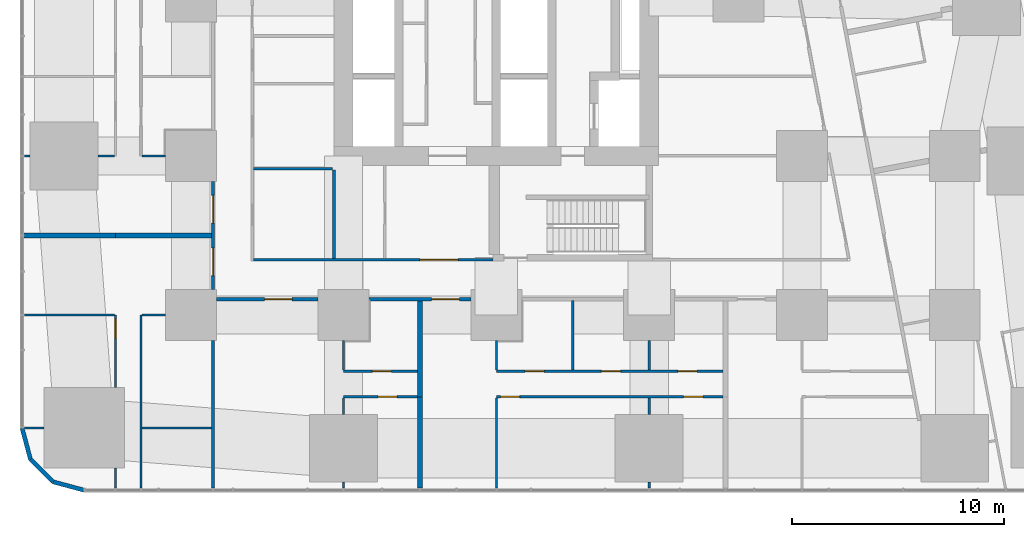
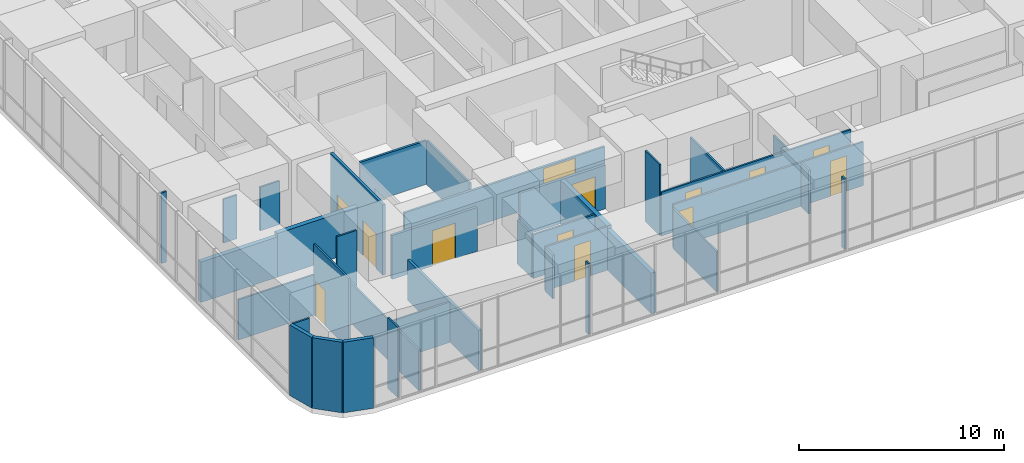
# One storey, part 14 of 22: 37 walls, 13 doors, 13 openings.
"""IFC4 building model written with IfcOpenShell, lengths in metres."""

from ifc_helpers import new_model, si_unit, direction, frame, frame_2d, origin, place, context, subcontext, project, spatial, rectangle, extrude, material, layer, layer_set, type_object, element, fill, save


model = new_model("IFC4")

# Units and contexts
model_context = context("Model", 3, precision=1e-05, world=origin(), true_north=direction((0.0, 1.0)))
body_context = subcontext(model_context, "Body", "Model", "MODEL_VIEW")
ifc_project = project(units=[si_unit("LENGTHUNIT", "METRE"), si_unit("AREAUNIT", "SQUARE_METRE"), si_unit("VOLUMEUNIT", "CUBIC_METRE"), si_unit("PLANEANGLEUNIT", "RADIAN"), si_unit("MASSUNIT", "GRAM", prefix="KILO")], contexts=[model_context])

# Site, building, storey
site_placement = place(None, origin())
site = spatial("IfcSite", under=ifc_project, at=site_placement, CompositionType="ELEMENT")
building_placement = place(site_placement, origin())
building = spatial("IfcBuilding", under=site, at=building_placement, Name="Sheger Commons Tower", CompositionType="ELEMENT")
storey_placement = place(building_placement, frame((0.0, 0.0, 10.10009765625)))
storey = spatial("IfcBuildingStorey", under=building, at=storey_placement, Name="L02", CompositionType="ELEMENT", Elevation=10.10009765625)

# Wall
ifc_material_1 = material(Name="Hollow concrete block masonry, skimmed both sides", Category="masonry")
ifc_layer_1 = layer(ifc_material_1, 0.14990234375)
ifc_layer_set_1 = layer_set([ifc_layer_1], Name="CORRIDOR WALL 150")
wall_type_1 = type_object("IfcWallType", Name="CORRIDOR WALL 150", PredefinedType="SOLIDWALL", material=ifc_layer_set_1)
wall_1_placement = place(storey_placement, frame((8.25, -0.64990234375, 0.0), z_axis=(0.0, 0.0, 1.0), x_axis=(0.0, 1.0, 0.0)))
element("IfcWall", 1, at=wall_1_placement, inside=storey, type_object=wall_type_1, Name="Corridor wall L02", PredefinedType="SOLIDWALL", context=body_context, shape_type="SweptSolid", body=[
    extrude(rectangle(XDim=6.948974609375, YDim=0.14990234375, at=frame_2d((3.474609375, 0.0))), origin(), (0.0, 0.0, 1.0), 2.39990234375),
])

# Wall, openings, doors
wall_2_placement = place(storey_placement, frame((8.25, 8.700927734375, 0.0), z_axis=(0.0, 0.0, 1.0), x_axis=(0.0, 1.0, 0.0)))
wall_2 = element("IfcWall", 2, at=wall_2_placement, inside=storey, type_object=wall_type_1, Name="Corridor wall L02", PredefinedType="SOLIDWALL", context=body_context, shape_type="SweptSolid", body=[
    extrude(rectangle(XDim=5.09814453125, YDim=0.14990234375, at=frame_2d((2.549072265625, 0.0))), origin(), (0.0, 0.0, 1.0), 4.199951171875),
])
opening_1_placement = place(wall_2_placement, frame((0.660888671875, 0.0, 0.0)))
opening_1 = element("IfcOpeningElement", 3, at=opening_1_placement, cuts=wall_2, Name="Opening D9", PredefinedType="OPENING", context=body_context, shape_type="SweptSolid", body=[
    extrude(rectangle(XDim=1.300048828125, YDim=2.10009765625, at=frame_2d((0.64990234375, 1.050048828125))), frame((0.0, 0.0849609375, 0.0), z_axis=(0.0, -1.0, 0.0), x_axis=(1.0, 0.0, 0.0)), (0.0, 0.0, 1.0), 0.169921875),
])
opening_2_placement = place(wall_2_placement, frame((3.135986328125, 0.0, 0.0)))
opening_2 = element("IfcOpeningElement", 4, at=opening_2_placement, cuts=wall_2, Name="Opening D9", PredefinedType="OPENING", context=body_context, shape_type="SweptSolid", body=[
    extrude(rectangle(XDim=1.300048828125, YDim=2.10009765625, at=frame_2d((0.64990234375, 1.050048828125))), frame((0.0, 0.0849609375, 0.0), z_axis=(0.0, -1.0, 0.0), x_axis=(1.0, 0.0, 0.0)), (0.0, 0.0, 1.0), 0.169921875),
])
ifc_material_2 = material(Name="Steel door set, fire rated", Category="steel")
door_type_1 = type_object("IfcDoorType", Name="CLINIC SUITE DOOR 1300x2100", OperationType="DOUBLE_DOOR_SINGLE_SWING", PredefinedType="DOOR", material=ifc_material_2)
door_1_placement = place(opening_1_placement, origin())
door_1 = element("IfcDoor", 5, at=door_1_placement, inside=storey, type_object=door_type_1, Name="Suite door", OperationType="DOUBLE_DOOR_SINGLE_SWING", OverallHeight=2.10009765625, OverallWidth=1.300048828125, PredefinedType="DOOR", context=body_context, shape_type="SweptSolid", body=[
    extrude(rectangle(XDim=1.300048828125, YDim=2.10009765625, at=frame_2d((0.64990234375, 1.050048828125))), frame((0.0, 0.02490234375, 0.0), z_axis=(0.0, -1.0, 0.0), x_axis=(1.0, 0.0, 0.0)), (0.0, 0.0, 1.0), 0.050048828125),
])
fill(opening_1, door_1)
door_2_placement = place(opening_2_placement, origin())
door_2 = element("IfcDoor", 6, at=door_2_placement, inside=storey, type_object=door_type_1, Name="Suite door", OperationType="DOUBLE_DOOR_SINGLE_SWING", OverallHeight=2.10009765625, OverallWidth=1.300048828125, PredefinedType="DOOR", context=body_context, shape_type="SweptSolid", body=[
    extrude(rectangle(XDim=1.300048828125, YDim=2.10009765625, at=frame_2d((0.64990234375, 1.050048828125))), frame((0.0, 0.02490234375, 0.0), z_axis=(0.0, -1.0, 0.0), x_axis=(1.0, 0.0, 0.0)), (0.0, 0.0, 1.0), 0.050048828125),
])
fill(opening_2, door_2)

# Wall, opening, door
wall_3_placement = place(storey_placement, frame((20.39892578125, 8.25, 0.0), z_axis=(0.0, 0.0, 1.0), x_axis=(-1.0, 0.0, 0.0)))
wall_3 = element("IfcWall", 7, at=wall_3_placement, inside=storey, type_object=wall_type_1, Name="Corridor wall L02", PredefinedType="SOLIDWALL", context=body_context, shape_type="SweptSolid", body=[
    extrude(rectangle(XDim=4.7978515625, YDim=0.14990234375, at=frame_2d((2.39892578125, 0.0))), origin(), (0.0, 0.0, 1.0), 2.599853515625),
])
opening_3_placement = place(wall_3_placement, frame((0.549072265625, 0.0, 0.0)))
opening_3 = element("IfcOpeningElement", 8, at=opening_3_placement, cuts=wall_3, Name="Opening D9", PredefinedType="OPENING", context=body_context, shape_type="SweptSolid", body=[
    extrude(rectangle(XDim=1.300048828125, YDim=2.10009765625, at=frame_2d((0.64990234375, 1.050048828125))), frame((0.0, 0.0849609375, 0.0), z_axis=(0.0, -1.0, 0.0), x_axis=(1.0, 0.0, 0.0)), (0.0, 0.0, 1.0), 0.169921875),
])
door_3_placement = place(opening_3_placement, origin())
door_3 = element("IfcDoor", 9, at=door_3_placement, inside=storey, type_object=door_type_1, Name="Suite door", OperationType="DOUBLE_DOOR_SINGLE_SWING", OverallHeight=2.10009765625, OverallWidth=1.300048828125, PredefinedType="DOOR", context=body_context, shape_type="SweptSolid", body=[
    extrude(rectangle(XDim=1.300048828125, YDim=2.10009765625, at=frame_2d((0.64990234375, 1.050048828125))), frame((0.0, 0.02490234375, 0.0), z_axis=(0.0, -1.0, 0.0), x_axis=(1.0, 0.0, 0.0)), (0.0, 0.0, 1.0), 0.050048828125),
])
fill(opening_3, door_3)

wall_4_placement = place(storey_placement, frame((13.198974609375, 8.25, 0.0), z_axis=(0.0, 0.0, 1.0), x_axis=(-1.0, 0.0, 0.0)))
wall_4 = element("IfcWall", 10, at=wall_4_placement, inside=storey, type_object=wall_type_1, Name="Corridor wall L02", PredefinedType="SOLIDWALL", context=body_context, shape_type="SweptSolid", body=[
    extrude(rectangle(XDim=4.798095703125, YDim=0.14990234375, at=frame_2d((2.39892578125, 0.0))), origin(), (0.0, 0.0, 1.0), 2.599853515625),
])
opening_4_placement = place(wall_4_placement, frame((1.22412109375, 0.0, 0.0)))
opening_4 = element("IfcOpeningElement", 11, at=opening_4_placement, cuts=wall_4, Name="Opening D9", PredefinedType="OPENING", context=body_context, shape_type="SweptSolid", body=[
    extrude(rectangle(XDim=1.300048828125, YDim=2.10009765625, at=frame_2d((0.64990234375, 1.050048828125))), frame((0.0, 0.0849609375, 0.0), z_axis=(0.0, -1.0, 0.0), x_axis=(1.0, 0.0, 0.0)), (0.0, 0.0, 1.0), 0.169921875),
])
door_4_placement = place(opening_4_placement, origin())
door_4 = element("IfcDoor", 12, at=door_4_placement, inside=storey, type_object=door_type_1, Name="Suite door", OperationType="DOUBLE_DOOR_SINGLE_SWING", OverallHeight=2.10009765625, OverallWidth=1.300048828125, PredefinedType="DOOR", context=body_context, shape_type="SweptSolid", body=[
    extrude(rectangle(XDim=1.300048828125, YDim=2.10009765625, at=frame_2d((0.64990234375, 1.050048828125))), frame((0.0, 0.02490234375, 0.0), z_axis=(0.0, -1.0, 0.0), x_axis=(1.0, 0.0, 0.0)), (0.0, 0.0, 1.0), 0.050048828125),
])
fill(opening_4, door_4)

# Walls
ifc_material_3 = material(Name="Dense concrete block masonry, plastered both sides (separating wall between flats)", Category="masonry")
ifc_layer_2 = layer(ifc_material_3, 0.25)
ifc_layer_set_2 = layer_set([ifc_layer_2], Name="DEMISING WALL 250")
wall_type_2 = type_object("IfcWallType", Name="DEMISING WALL 250", PredefinedType="SOLIDWALL", material=ifc_layer_set_2)
wall_5_placement = place(storey_placement, frame((-0.64990234375, 11.25, 0.0), z_axis=(0.0, 0.0, 1.0), x_axis=(1.0, 0.0, 0.0)))
element("IfcWall", 13, at=wall_5_placement, inside=storey, type_object=wall_type_2, Name="Demising wall L02", PredefinedType="SOLIDWALL", context=body_context, shape_type="SweptSolid", body=[
    extrude(rectangle(XDim=4.2998046875, YDim=0.25, at=frame_2d((2.14990234375, 0.0))), origin(), (0.0, 0.0, 1.0), 2.39990234375),
])
wall_6_placement = place(storey_placement, frame((3.64990234375, 11.25, 0.0), z_axis=(0.0, 0.0, 1.0), x_axis=(1.0, 0.0, 0.0)))
element("IfcWall", 14, at=wall_6_placement, inside=storey, type_object=wall_type_2, Name="Demising wall L02", PredefinedType="SOLIDWALL", context=body_context, shape_type="SweptSolid", body=[
    extrude(rectangle(XDim=4.525146484375, YDim=0.25, at=frame_2d((2.2626953125, 0.0))), origin(), (0.0, 0.0, 1.0), 2.599853515625),
])
wall_7_placement = place(storey_placement, frame((18.0, -0.64990234375, 0.0), z_axis=(0.0, 0.0, 1.0), x_axis=(0.0, 1.0, 0.0)))
element("IfcWall", 15, at=wall_7_placement, inside=storey, type_object=wall_type_2, Name="Demising wall L02", PredefinedType="SOLIDWALL", context=body_context, shape_type="SweptSolid", body=[
    extrude(rectangle(XDim=4.2998046875, YDim=0.25, at=frame_2d((2.14990234375, 0.0))), origin(), (0.0, 0.0, 1.0), 2.39990234375),
])
wall_8_placement = place(storey_placement, frame((18.0, 3.64990234375, 0.0), z_axis=(0.0, 0.0, 1.0), x_axis=(0.0, 1.0, 0.0)))
element("IfcWall", 16, at=wall_8_placement, inside=storey, type_object=wall_type_2, Name="Demising wall L02", PredefinedType="SOLIDWALL", context=body_context, shape_type="SweptSolid", body=[
    extrude(rectangle(XDim=4.525146484375, YDim=0.25, at=frame_2d((2.2626953125, 0.0))), origin(), (0.0, 0.0, 1.0), 2.599853515625),
])
ifc_material_4 = material(Name="Rendered concrete block masonry, dark grey", Category="masonry")
ifc_layer_3 = layer(ifc_material_4, 0.199951171875)
ifc_layer_set_3 = layer_set([ifc_layer_3], Name="FACADE WALL 200")
wall_type_3 = type_object("IfcWallType", Name="FACADE WALL 200", PredefinedType="SOLIDWALL", material=ifc_layer_set_3)
wall_9_placement = place(storey_placement, frame((-0.75, 2.1630859375, 0.0), z_axis=(0.0, 0.0, 1.0), x_axis=(0.259168954497, -0.965832000415, 0.0)))
element("IfcWall", 17, at=wall_9_placement, inside=storey, type_object=wall_type_3, Name="Facade wall L02", PredefinedType="SOLIDWALL", context=body_context, shape_type="SweptSolid", body=[
    extrude(rectangle(XDim=1.512939453125, YDim=0.199951171875, at=frame_2d((0.75634765625, 0.0))), origin(), (0.0, 0.0, 1.0), 4.199951171875),
])
wall_10_placement = place(storey_placement, frame((-0.35791015625, 0.701904296875, 0.0), z_axis=(0.0, 0.0, 1.0), x_axis=(0.707106781187, -0.707106781187, 0.0)))
element("IfcWall", 18, at=wall_10_placement, inside=storey, type_object=wall_type_3, Name="Facade wall L02", PredefinedType="SOLIDWALL", context=body_context, shape_type="SweptSolid", body=[
    extrude(rectangle(XDim=1.498779296875, YDim=0.199951171875, at=frame_2d((0.74951171875, 0.0))), origin(), (0.0, 0.0, 1.0), 4.199951171875),
])
wall_11_placement = place(storey_placement, frame((0.701904296875, -0.35791015625, 0.0), z_axis=(0.0, 0.0, 1.0), x_axis=(0.965832000415, -0.259168954497, 0.0)))
element("IfcWall", 19, at=wall_11_placement, inside=storey, type_object=wall_type_3, Name="Facade wall L02", PredefinedType="SOLIDWALL", context=body_context, shape_type="SweptSolid", body=[
    extrude(rectangle(XDim=1.512939453125, YDim=0.199951171875, at=frame_2d((0.75634765625, 0.0))), origin(), (0.0, 0.0, 1.0), 4.199951171875),
])
ifc_material_5 = material(Name="Gypsum board on steel studs", Category="steel")
ifc_layer_4 = layer(ifc_material_5, 0.10009765625)
ifc_layer_set_4 = layer_set([ifc_layer_4], Name="PARTITION 100")
wall_type_4 = type_object("IfcWallType", Name="PARTITION 100", PredefinedType="PARTITIONING", material=ifc_layer_set_4)
wall_12_placement = place(storey_placement, frame((3.64990234375, -0.64990234375, 0.0), z_axis=(0.0, 0.0, 1.0), x_axis=(0.0, 1.0, 0.0)))
element("IfcWall", 20, at=wall_12_placement, inside=storey, type_object=wall_type_4, Name="Partition L02", PredefinedType="PARTITIONING", context=body_context, shape_type="SweptSolid", body=[
    extrude(rectangle(XDim=0.934814453125, YDim=0.10009765625, at=frame_2d((0.46728515625, 0.0))), origin(), (0.0, 0.0, 1.0), 4.199951171875),
])

# Wall, opening, door
wall_13_placement = place(storey_placement, frame((3.64990234375, 4.0869140625, 0.0), z_axis=(0.0, 0.0, 1.0), x_axis=(0.0, 1.0, 0.0)))
wall_13 = element("IfcWall", 21, at=wall_13_placement, inside=storey, type_object=wall_type_4, Name="Partition L02", PredefinedType="PARTITIONING", context=body_context, shape_type="SweptSolid", body=[
    extrude(rectangle(XDim=3.4130859375, YDim=0.10009765625, at=frame_2d((1.70654296875, 0.0))), origin(), (0.0, 0.0, 1.0), 4.199951171875),
])
opening_5_placement = place(wall_13_placement, frame((2.31298828125, 0.0, 0.0)))
opening_5 = element("IfcOpeningElement", 22, at=opening_5_placement, cuts=wall_13, Name="Opening D2", PredefinedType="OPENING", context=body_context, shape_type="SweptSolid", body=[
    extrude(rectangle(XDim=0.89990234375, YDim=2.10009765625, at=frame_2d((0.449951171875, 1.050048828125))), frame((0.0, 0.06005859375, 0.0), z_axis=(0.0, -1.0, 0.0), x_axis=(1.0, 0.0, 0.0)), (0.0, 0.0, 1.0), 0.1201171875),
])
ifc_material_6 = material(Name="Timber door set", Category="wood")
door_type_2 = type_object("IfcDoorType", Name="INTERNAL DOOR 900x2100", OperationType="NOTDEFINED", PredefinedType="DOOR", material=ifc_material_6)
door_5_placement = place(opening_5_placement, origin())
door_5 = element("IfcDoor", 23, at=door_5_placement, inside=storey, type_object=door_type_2, Name="Dental surgery door", OperationType="SINGLE_SWING_RIGHT", OverallHeight=2.10009765625, OverallWidth=0.89990234375, PredefinedType="DOOR", context=body_context, shape_type="SweptSolid", body=[
    extrude(rectangle(XDim=0.89990234375, YDim=2.10009765625, at=frame_2d((0.449951171875, 1.050048828125))), frame((0.0, 0.02490234375, 0.0), z_axis=(0.0, -1.0, 0.0), x_axis=(1.0, 0.0, 0.0)), (0.0, 0.0, 1.0), 0.050048828125),
])
fill(opening_5, door_5)

# Walls
wall_14_placement = place(storey_placement, frame((4.85009765625, -0.64990234375, 0.0), z_axis=(0.0, 0.0, 1.0), x_axis=(0.0, 1.0, 0.0)))
element("IfcWall", 24, at=wall_14_placement, inside=storey, type_object=wall_type_4, Name="Partition L02", PredefinedType="PARTITIONING", context=body_context, shape_type="SweptSolid", body=[
    extrude(rectangle(XDim=8.14990234375, YDim=0.10009765625, at=frame_2d((4.074951171875, 0.0))), origin(), (0.0, 0.0, 1.0), 2.39990234375),
])
wall_15_placement = place(storey_placement, frame((-0.64990234375, 2.18603515625, 0.0), z_axis=(0.0, 0.0, 1.0), x_axis=(1.0, 0.0, 0.0)))
element("IfcWall", 25, at=wall_15_placement, inside=storey, type_object=wall_type_4, Name="Partition L02", PredefinedType="PARTITIONING", context=body_context, shape_type="SweptSolid", body=[
    extrude(rectangle(XDim=0.934814453125, YDim=0.10009765625, at=frame_2d((0.46728515625, 0.0))), origin(), (0.0, 0.0, 1.0), 4.199951171875),
])
wall_16_placement = place(storey_placement, frame((-0.64990234375, 7.5, 0.0), z_axis=(0.0, 0.0, 1.0), x_axis=(1.0, 0.0, 0.0)))
element("IfcWall", 26, at=wall_16_placement, inside=storey, type_object=wall_type_4, Name="Partition L02", PredefinedType="PARTITIONING", context=body_context, shape_type="SweptSolid", body=[
    extrude(rectangle(XDim=4.25, YDim=0.10009765625, at=frame_2d((2.125, 0.0))), origin(), (0.0, 0.0, 1.0), 2.39990234375),
])
wall_17_placement = place(storey_placement, frame((4.89990234375, 2.18603515625, 0.0), z_axis=(0.0, 0.0, 1.0), x_axis=(1.0, 0.0, 0.0)))
element("IfcWall", 27, at=wall_17_placement, inside=storey, type_object=wall_type_4, Name="Partition L02", PredefinedType="PARTITIONING", context=body_context, shape_type="SweptSolid", body=[
    extrude(rectangle(XDim=3.275146484375, YDim=0.10009765625, at=frame_2d((1.6376953125, 0.0))), origin(), (0.0, 0.0, 1.0), 2.39990234375),
])
wall_18_placement = place(storey_placement, frame((4.89990234375, 7.5, 0.0), z_axis=(0.0, 0.0, 1.0), x_axis=(1.0, 0.0, 0.0)))
element("IfcWall", 28, at=wall_18_placement, inside=storey, type_object=wall_type_4, Name="Partition L02", PredefinedType="PARTITIONING", context=body_context, shape_type="SweptSolid", body=[
    extrude(rectangle(XDim=1.09912109375, YDim=0.10009765625, at=frame_2d((0.549560546875, 0.0))), origin(), (0.0, 0.0, 1.0), 4.199951171875),
])
wall_19_placement = place(storey_placement, frame((-0.64990234375, 15.0, 0.0), z_axis=(0.0, 0.0, 1.0), x_axis=(1.0, 0.0, 0.0)))
element("IfcWall", 29, at=wall_19_placement, inside=storey, type_object=wall_type_4, Name="Partition L02", PredefinedType="PARTITIONING", context=body_context, shape_type="SweptSolid", body=[
    extrude(rectangle(XDim=0.27392578125, YDim=0.10009765625, at=frame_2d((0.136962890625, 0.0))), origin(), (0.0, 0.0, 1.0), 4.199951171875),
])
wall_20_placement = place(storey_placement, frame((2.825927734375, 15.0, 0.0), z_axis=(0.0, 0.0, 1.0), x_axis=(1.0, 0.0, 0.0)))
element("IfcWall", 30, at=wall_20_placement, inside=storey, type_object=wall_type_4, Name="Partition L02", PredefinedType="PARTITIONING", context=body_context, shape_type="SweptSolid", body=[
    extrude(rectangle(XDim=0.774169921875, YDim=0.10009765625, at=frame_2d((0.38720703125, 0.0))), origin(), (0.0, 0.0, 1.0), 2.599853515625),
])
wall_21_placement = place(storey_placement, frame((4.89990234375, 15.0, 0.0), z_axis=(0.0, 0.0, 1.0), x_axis=(1.0, 0.0, 0.0)))
element("IfcWall", 31, at=wall_21_placement, inside=storey, type_object=wall_type_4, Name="Partition L02", PredefinedType="PARTITIONING", context=body_context, shape_type="SweptSolid", body=[
    extrude(rectangle(XDim=1.09912109375, YDim=0.10009765625, at=frame_2d((0.549560546875, 0.0))), origin(), (0.0, 0.0, 1.0), 2.599853515625),
])

# Wall, opening, door
wall_22_placement = place(storey_placement, frame((17.875, 3.64990234375, 0.0), z_axis=(0.0, 0.0, 1.0), x_axis=(-1.0, 0.0, 0.0)))
wall_22 = element("IfcWall", 32, at=wall_22_placement, inside=storey, type_object=wall_type_4, Name="Partition L02", PredefinedType="PARTITIONING", context=body_context, shape_type="SweptSolid", body=[
    extrude(rectangle(XDim=3.47509765625, YDim=0.10009765625, at=frame_2d((1.737548828125, 0.0))), origin(), (0.0, 0.0, 1.0), 2.599853515625),
])
opening_6_placement = place(wall_22_placement, frame((0.949951171875, 0.0, 0.0)))
opening_6 = element("IfcOpeningElement", 33, at=opening_6_placement, cuts=wall_22, Name="Opening D2", PredefinedType="OPENING", context=body_context, shape_type="SweptSolid", body=[
    extrude(rectangle(XDim=0.89990234375, YDim=2.10009765625, at=frame_2d((0.449951171875, 1.050048828125))), frame((0.0, 0.06005859375, 0.0), z_axis=(0.0, -1.0, 0.0), x_axis=(1.0, 0.0, 0.0)), (0.0, 0.0, 1.0), 0.1201171875),
])
door_6_placement = place(opening_6_placement, origin())
door_6 = element("IfcDoor", 34, at=door_6_placement, inside=storey, type_object=door_type_2, Name="Dental surgery door", OperationType="SINGLE_SWING_LEFT", OverallHeight=2.10009765625, OverallWidth=0.89990234375, PredefinedType="DOOR", context=body_context, shape_type="SweptSolid", body=[
    extrude(rectangle(XDim=0.89990234375, YDim=2.10009765625, at=frame_2d((0.449951171875, 1.050048828125))), frame((0.0, 0.02490234375, 0.0), z_axis=(0.0, -1.0, 0.0), x_axis=(1.0, 0.0, 0.0)), (0.0, 0.0, 1.0), 0.050048828125),
])
fill(opening_6, door_6)

wall_23_placement = place(storey_placement, frame((17.875, 4.85009765625, 0.0), z_axis=(0.0, 0.0, 1.0), x_axis=(-1.0, 0.0, 0.0)))
wall_23 = element("IfcWall", 35, at=wall_23_placement, inside=storey, type_object=wall_type_4, Name="Partition L02", PredefinedType="PARTITIONING", context=body_context, shape_type="SweptSolid", body=[
    extrude(rectangle(XDim=3.47509765625, YDim=0.10009765625, at=frame_2d((1.737548828125, 0.0))), origin(), (0.0, 0.0, 1.0), 2.599853515625),
])
opening_7_placement = place(wall_23_placement, frame((1.22509765625, 0.0, 0.0)))
opening_7 = element("IfcOpeningElement", 36, at=opening_7_placement, cuts=wall_23, Name="Opening D2", PredefinedType="OPENING", context=body_context, shape_type="SweptSolid", body=[
    extrude(rectangle(XDim=0.89990234375, YDim=2.10009765625, at=frame_2d((0.449951171875, 1.050048828125))), frame((0.0, 0.06005859375, 0.0), z_axis=(0.0, -1.0, 0.0), x_axis=(1.0, 0.0, 0.0)), (0.0, 0.0, 1.0), 0.1201171875),
])
door_7_placement = place(opening_7_placement, origin())
door_7 = element("IfcDoor", 37, at=door_7_placement, inside=storey, type_object=door_type_2, Name="Patient WC door", OperationType="SINGLE_SWING_RIGHT", OverallHeight=2.10009765625, OverallWidth=0.89990234375, PredefinedType="DOOR", context=body_context, shape_type="SweptSolid", body=[
    extrude(rectangle(XDim=0.89990234375, YDim=2.10009765625, at=frame_2d((0.449951171875, 1.050048828125))), frame((0.0, 0.02490234375, 0.0), z_axis=(0.0, -1.0, 0.0), x_axis=(1.0, 0.0, 0.0)), (0.0, 0.0, 1.0), 0.050048828125),
])
fill(opening_7, door_7)

# Walls
wall_24_placement = place(storey_placement, frame((14.39990234375, -0.64990234375, 0.0), z_axis=(0.0, 0.0, 1.0), x_axis=(0.0, 1.0, 0.0)))
element("IfcWall", 38, at=wall_24_placement, inside=storey, type_object=wall_type_4, Name="Partition L02", PredefinedType="PARTITIONING", context=body_context, shape_type="SweptSolid", body=[
    extrude(rectangle(XDim=0.27392578125, YDim=0.10009765625, at=frame_2d((0.136962890625, 0.0))), origin(), (0.0, 0.0, 1.0), 4.199951171875),
])
wall_25_placement = place(storey_placement, frame((14.39990234375, 2.825927734375, 0.0), z_axis=(0.0, 0.0, 1.0), x_axis=(0.0, 1.0, 0.0)))
element("IfcWall", 39, at=wall_25_placement, inside=storey, type_object=wall_type_4, Name="Partition L02", PredefinedType="PARTITIONING", context=body_context, shape_type="SweptSolid", body=[
    extrude(rectangle(XDim=0.774169921875, YDim=0.10009765625, at=frame_2d((0.38720703125, 0.0))), origin(), (0.0, 0.0, 1.0), 2.599853515625),
])
wall_26_placement = place(storey_placement, frame((14.39990234375, 4.89990234375, 0.0), z_axis=(0.0, 0.0, 1.0), x_axis=(0.0, 1.0, 0.0)))
element("IfcWall", 40, at=wall_26_placement, inside=storey, type_object=wall_type_4, Name="Partition L02", PredefinedType="PARTITIONING", context=body_context, shape_type="SweptSolid", body=[
    extrude(rectangle(XDim=1.399169921875, YDim=0.10009765625, at=frame_2d((0.69970703125, 0.0))), origin(), (0.0, 0.0, 1.0), 2.599853515625),
])

# Wall, openings, doors
wall_27_placement = place(storey_placement, frame((32.27490234375, 3.64990234375, 0.0), z_axis=(0.0, 0.0, 1.0), x_axis=(-1.0, 0.0, 0.0)))
wall_27 = element("IfcWall", 41, at=wall_27_placement, inside=storey, type_object=wall_type_4, Name="Partition L02", PredefinedType="PARTITIONING", context=body_context, shape_type="SweptSolid", body=[
    extrude(rectangle(XDim=10.6748046875, YDim=0.10009765625, at=frame_2d((5.33740234375, 0.0))), origin(), (0.0, 0.0, 1.0), 2.599853515625),
])
opening_8_placement = place(wall_27_placement, frame((9.574951171875, 0.0, 0.0)))
opening_8 = element("IfcOpeningElement", 42, at=opening_8_placement, cuts=wall_27, Name="Opening D2", PredefinedType="OPENING", context=body_context, shape_type="SweptSolid", body=[
    extrude(rectangle(XDim=0.89990234375, YDim=2.10009765625, at=frame_2d((0.449951171875, 1.050048828125))), frame((0.0, 0.06005859375, 0.0), z_axis=(0.0, -1.0, 0.0), x_axis=(1.0, 0.0, 0.0)), (0.0, 0.0, 1.0), 0.1201171875),
])
opening_9_placement = place(wall_27_placement, frame((0.949951171875, 0.0, 0.0)))
opening_9 = element("IfcOpeningElement", 43, at=opening_9_placement, cuts=wall_27, Name="Opening D2", PredefinedType="OPENING", context=body_context, shape_type="SweptSolid", body=[
    extrude(rectangle(XDim=0.89990234375, YDim=2.10009765625, at=frame_2d((0.449951171875, 1.050048828125))), frame((0.0, 0.06005859375, 0.0), z_axis=(0.0, -1.0, 0.0), x_axis=(1.0, 0.0, 0.0)), (0.0, 0.0, 1.0), 0.1201171875),
])
door_8_placement = place(opening_8_placement, origin())
door_8 = element("IfcDoor", 44, at=door_8_placement, inside=storey, type_object=door_type_2, Name="Ultrasound room door", OperationType="SINGLE_SWING_RIGHT", OverallHeight=2.10009765625, OverallWidth=0.89990234375, PredefinedType="DOOR", context=body_context, shape_type="SweptSolid", body=[
    extrude(rectangle(XDim=0.89990234375, YDim=2.10009765625, at=frame_2d((0.449951171875, 1.050048828125))), frame((0.0, 0.02490234375, 0.0), z_axis=(0.0, -1.0, 0.0), x_axis=(1.0, 0.0, 0.0)), (0.0, 0.0, 1.0), 0.050048828125),
])
fill(opening_8, door_8)
door_9_placement = place(opening_9_placement, origin())
door_9 = element("IfcDoor", 45, at=door_9_placement, inside=storey, type_object=door_type_2, Name="Dental surgery door", OperationType="SINGLE_SWING_LEFT", OverallHeight=2.10009765625, OverallWidth=0.89990234375, PredefinedType="DOOR", context=body_context, shape_type="SweptSolid", body=[
    extrude(rectangle(XDim=0.89990234375, YDim=2.10009765625, at=frame_2d((0.449951171875, 1.050048828125))), frame((0.0, 0.02490234375, 0.0), z_axis=(0.0, -1.0, 0.0), x_axis=(1.0, 0.0, 0.0)), (0.0, 0.0, 1.0), 0.050048828125),
])
fill(opening_9, door_9)

wall_28_placement = place(storey_placement, frame((32.27490234375, 4.85009765625, 0.0), z_axis=(0.0, 0.0, 1.0), x_axis=(-1.0, 0.0, 0.0)))
wall_28 = element("IfcWall", 46, at=wall_28_placement, inside=storey, type_object=wall_type_4, Name="Partition L02", PredefinedType="PARTITIONING", context=body_context, shape_type="SweptSolid", body=[
    extrude(rectangle(XDim=10.6748046875, YDim=0.10009765625, at=frame_2d((5.33740234375, 0.0))), origin(), (0.0, 0.0, 1.0), 2.599853515625),
])
opening_10_placement = place(wall_28_placement, frame((8.425048828125, 0.0, 0.0)))
opening_10 = element("IfcOpeningElement", 47, at=opening_10_placement, cuts=wall_28, Name="Opening D2", PredefinedType="OPENING", context=body_context, shape_type="SweptSolid", body=[
    extrude(rectangle(XDim=0.89990234375, YDim=2.10009765625, at=frame_2d((0.449951171875, 1.050048828125))), frame((0.0, 0.06005859375, 0.0), z_axis=(0.0, -1.0, 0.0), x_axis=(1.0, 0.0, 0.0)), (0.0, 0.0, 1.0), 0.1201171875),
])
opening_11_placement = place(wall_28_placement, frame((4.824951171875, 0.0, 0.0)))
opening_11 = element("IfcOpeningElement", 48, at=opening_11_placement, cuts=wall_28, Name="Opening D2", PredefinedType="OPENING", context=body_context, shape_type="SweptSolid", body=[
    extrude(rectangle(XDim=0.89990234375, YDim=2.10009765625, at=frame_2d((0.449951171875, 1.050048828125))), frame((0.0, 0.06005859375, 0.0), z_axis=(0.0, -1.0, 0.0), x_axis=(1.0, 0.0, 0.0)), (0.0, 0.0, 1.0), 0.1201171875),
])
opening_12_placement = place(wall_28_placement, frame((1.22509765625, 0.0, 0.0)))
opening_12 = element("IfcOpeningElement", 49, at=opening_12_placement, cuts=wall_28, Name="Opening D2", PredefinedType="OPENING", context=body_context, shape_type="SweptSolid", body=[
    extrude(rectangle(XDim=0.89990234375, YDim=2.10009765625, at=frame_2d((0.449951171875, 1.050048828125))), frame((0.0, 0.06005859375, 0.0), z_axis=(0.0, -1.0, 0.0), x_axis=(1.0, 0.0, 0.0)), (0.0, 0.0, 1.0), 0.1201171875),
])
door_10_placement = place(opening_10_placement, origin())
door_10 = element("IfcDoor", 50, at=door_10_placement, inside=storey, type_object=door_type_2, Name="Patient WC door", OperationType="SINGLE_SWING_LEFT", OverallHeight=2.10009765625, OverallWidth=0.89990234375, PredefinedType="DOOR", context=body_context, shape_type="SweptSolid", body=[
    extrude(rectangle(XDim=0.89990234375, YDim=2.10009765625, at=frame_2d((0.449951171875, 1.050048828125))), frame((0.0, 0.02490234375, 0.0), z_axis=(0.0, -1.0, 0.0), x_axis=(1.0, 0.0, 0.0)), (0.0, 0.0, 1.0), 0.050048828125),
])
fill(opening_10, door_10)
door_11_placement = place(opening_11_placement, origin())
door_11 = element("IfcDoor", 51, at=door_11_placement, inside=storey, type_object=door_type_2, Name="Treatment room door", OperationType="SINGLE_SWING_LEFT", OverallHeight=2.10009765625, OverallWidth=0.89990234375, PredefinedType="DOOR", context=body_context, shape_type="SweptSolid", body=[
    extrude(rectangle(XDim=0.89990234375, YDim=2.10009765625, at=frame_2d((0.449951171875, 1.050048828125))), frame((0.0, 0.02490234375, 0.0), z_axis=(0.0, -1.0, 0.0), x_axis=(1.0, 0.0, 0.0)), (0.0, 0.0, 1.0), 0.050048828125),
])
fill(opening_11, door_11)
door_12_placement = place(opening_12_placement, origin())
door_12 = element("IfcDoor", 52, at=door_12_placement, inside=storey, type_object=door_type_2, Name="Treatment room door", OperationType="SINGLE_SWING_RIGHT", OverallHeight=2.10009765625, OverallWidth=0.89990234375, PredefinedType="DOOR", context=body_context, shape_type="SweptSolid", body=[
    extrude(rectangle(XDim=0.89990234375, YDim=2.10009765625, at=frame_2d((0.449951171875, 1.050048828125))), frame((0.0, 0.02490234375, 0.0), z_axis=(0.0, -1.0, 0.0), x_axis=(1.0, 0.0, 0.0)), (0.0, 0.0, 1.0), 0.050048828125),
])
fill(opening_12, door_12)

# Walls
wall_29_placement = place(storey_placement, frame((21.60009765625, -0.64990234375, 0.0), z_axis=(0.0, 0.0, 1.0), x_axis=(0.0, 1.0, 0.0)))
element("IfcWall", 53, at=wall_29_placement, inside=storey, type_object=wall_type_4, Name="Partition L02", PredefinedType="PARTITIONING", context=body_context, shape_type="SweptSolid", body=[
    extrude(rectangle(XDim=4.25, YDim=0.10009765625, at=frame_2d((2.125, 0.0))), origin(), (0.0, 0.0, 1.0), 2.39990234375),
])
wall_30_placement = place(storey_placement, frame((28.800048828125, -0.64990234375, 0.0), z_axis=(0.0, 0.0, 1.0), x_axis=(0.0, 1.0, 0.0)))
element("IfcWall", 54, at=wall_30_placement, inside=storey, type_object=wall_type_4, Name="Partition L02", PredefinedType="PARTITIONING", context=body_context, shape_type="SweptSolid", body=[
    extrude(rectangle(XDim=0.27392578125, YDim=0.10009765625, at=frame_2d((0.136962890625, 0.0))), origin(), (0.0, 0.0, 1.0), 4.199951171875),
])
wall_31_placement = place(storey_placement, frame((28.800048828125, 2.825927734375, 0.0), z_axis=(0.0, 0.0, 1.0), x_axis=(0.0, 1.0, 0.0)))
element("IfcWall", 55, at=wall_31_placement, inside=storey, type_object=wall_type_4, Name="Partition L02", PredefinedType="PARTITIONING", context=body_context, shape_type="SweptSolid", body=[
    extrude(rectangle(XDim=0.774169921875, YDim=0.10009765625, at=frame_2d((0.38720703125, 0.0))), origin(), (0.0, 0.0, 1.0), 2.599853515625),
])
wall_32_placement = place(storey_placement, frame((21.60009765625, 4.89990234375, 0.0), z_axis=(0.0, 0.0, 1.0), x_axis=(0.0, 1.0, 0.0)))
element("IfcWall", 56, at=wall_32_placement, inside=storey, type_object=wall_type_4, Name="Partition L02", PredefinedType="PARTITIONING", context=body_context, shape_type="SweptSolid", body=[
    extrude(rectangle(XDim=1.399169921875, YDim=0.10009765625, at=frame_2d((0.69970703125, 0.0))), origin(), (0.0, 0.0, 1.0), 4.199951171875),
])
wall_33_placement = place(storey_placement, frame((25.199951171875, 4.89990234375, 0.0), z_axis=(0.0, 0.0, 1.0), x_axis=(0.0, 1.0, 0.0)))
element("IfcWall", 57, at=wall_33_placement, inside=storey, type_object=wall_type_4, Name="Partition L02", PredefinedType="PARTITIONING", context=body_context, shape_type="SweptSolid", body=[
    extrude(rectangle(XDim=3.275146484375, YDim=0.10009765625, at=frame_2d((1.6376953125, 0.0))), origin(), (0.0, 0.0, 1.0), 2.599853515625),
])
wall_34_placement = place(storey_placement, frame((28.800048828125, 4.89990234375, 0.0), z_axis=(0.0, 0.0, 1.0), x_axis=(0.0, 1.0, 0.0)))
element("IfcWall", 58, at=wall_34_placement, inside=storey, type_object=wall_type_4, Name="Partition L02", PredefinedType="PARTITIONING", context=body_context, shape_type="SweptSolid", body=[
    extrude(rectangle(XDim=1.399169921875, YDim=0.10009765625, at=frame_2d((0.69970703125, 0.0))), origin(), (0.0, 0.0, 1.0), 2.599853515625),
])
ifc_material_7 = material(Name="Gypsum board on steel studs, two layers each side, fire rated", Category="steel")
ifc_layer_5 = layer(ifc_material_7, 0.125)
ifc_layer_set_5 = layer_set([ifc_layer_5], Name="SERVICE WALL 125")
wall_type_5 = type_object("IfcWallType", Name="SERVICE WALL 125", PredefinedType="PARTITIONING", material=ifc_layer_set_5)
wall_35_placement = place(storey_placement, frame((10.1630859375, 14.39990234375, 0.0), z_axis=(0.0, 0.0, 1.0), x_axis=(1.0, 0.0, 0.0)))
element("IfcWall", 59, at=wall_35_placement, inside=storey, type_object=wall_type_5, Name="Service room wall L02", PredefinedType="PARTITIONING", context=body_context, shape_type="SweptSolid", body=[
    extrude(rectangle(XDim=3.724853515625, YDim=0.125, at=frame_2d((1.8623046875, 0.0))), origin(), (0.0, 0.0, 1.0), 2.599853515625),
])
wall_36_placement = place(storey_placement, frame((13.949951171875, 10.1630859375, 0.0), z_axis=(0.0, 0.0, 1.0), x_axis=(0.0, 1.0, 0.0)))
element("IfcWall", 60, at=wall_36_placement, inside=storey, type_object=wall_type_5, Name="Service room wall L02", PredefinedType="PARTITIONING", context=body_context, shape_type="SweptSolid", body=[
    extrude(rectangle(XDim=4.1748046875, YDim=0.125, at=frame_2d((2.08740234375, 0.0))), origin(), (0.0, 0.0, 1.0), 2.599853515625),
])

# Wall, opening, door
wall_37_placement = place(storey_placement, frame((10.1630859375, 10.10009765625, 0.0), z_axis=(0.0, 0.0, 1.0), x_axis=(1.0, 0.0, 0.0)))
wall_37 = element("IfcWall", 61, at=wall_37_placement, inside=storey, type_object=wall_type_5, Name="Service room wall L02", PredefinedType="PARTITIONING", context=body_context, shape_type="SweptSolid", body=[
    extrude(rectangle(XDim=11.286865234375, YDim=0.125, at=frame_2d((5.6435546875, 0.0))), origin(), (0.0, 0.0, 1.0), 2.199951171875),
])
opening_13_placement = place(wall_37_placement, frame((7.83203125, 0.0, 0.0)))
opening_13 = element("IfcOpeningElement", 62, at=opening_13_placement, cuts=wall_37, Name="Opening D6", PredefinedType="OPENING", context=body_context, shape_type="SweptSolid", body=[
    extrude(rectangle(XDim=1.800048828125, YDim=2.10009765625, at=frame_2d((0.89990234375, 1.050048828125))), frame((0.0, 0.072509765625, 0.0), z_axis=(0.0, -1.0, 0.0), x_axis=(1.0, 0.0, 0.0)), (0.0, 0.0, 1.0), 0.14501953125),
])
ifc_material_8 = material(Name="Steel door set, fire rated", Category="steel")
door_type_3 = type_object("IfcDoorType", Name="LOBBY DOUBLE DOOR 1800x2100", OperationType="DOUBLE_DOOR_SINGLE_SWING", PredefinedType="DOOR", material=ifc_material_8)
door_13_placement = place(opening_13_placement, origin())
door_13 = element("IfcDoor", 63, at=door_13_placement, inside=storey, type_object=door_type_3, Name="Health centre lift lobby door", OperationType="DOUBLE_DOOR_SINGLE_SWING", OverallHeight=2.10009765625, OverallWidth=1.800048828125, PredefinedType="DOOR", context=body_context, shape_type="SweptSolid", body=[
    extrude(rectangle(XDim=1.800048828125, YDim=2.10009765625, at=frame_2d((0.89990234375, 1.050048828125))), frame((0.0, 0.02490234375, 0.0), z_axis=(0.0, -1.0, 0.0), x_axis=(1.0, 0.0, 0.0)), (0.0, 0.0, 1.0), 0.050048828125),
])
fill(opening_13, door_13)

save(model, "model.ifc")
